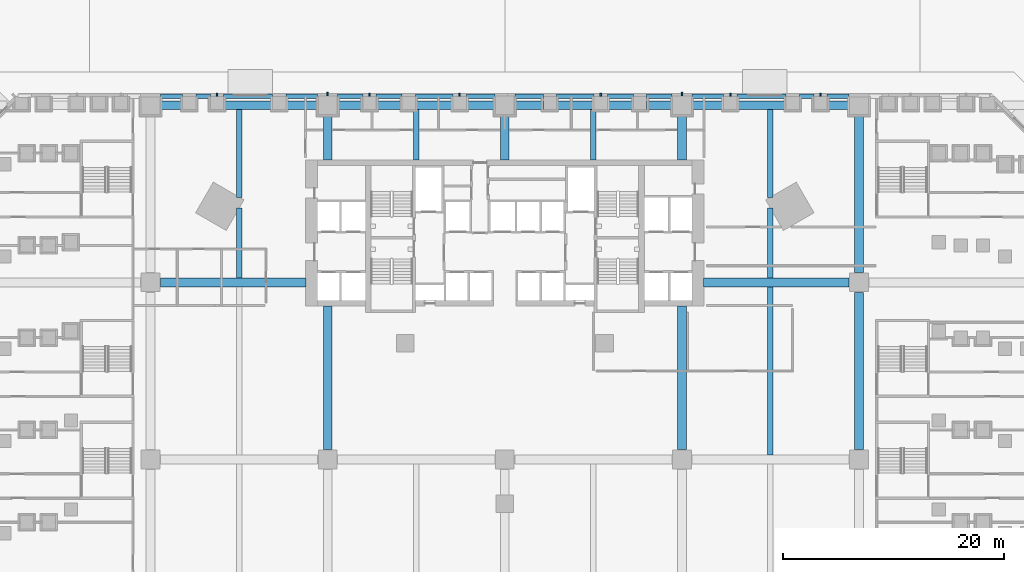
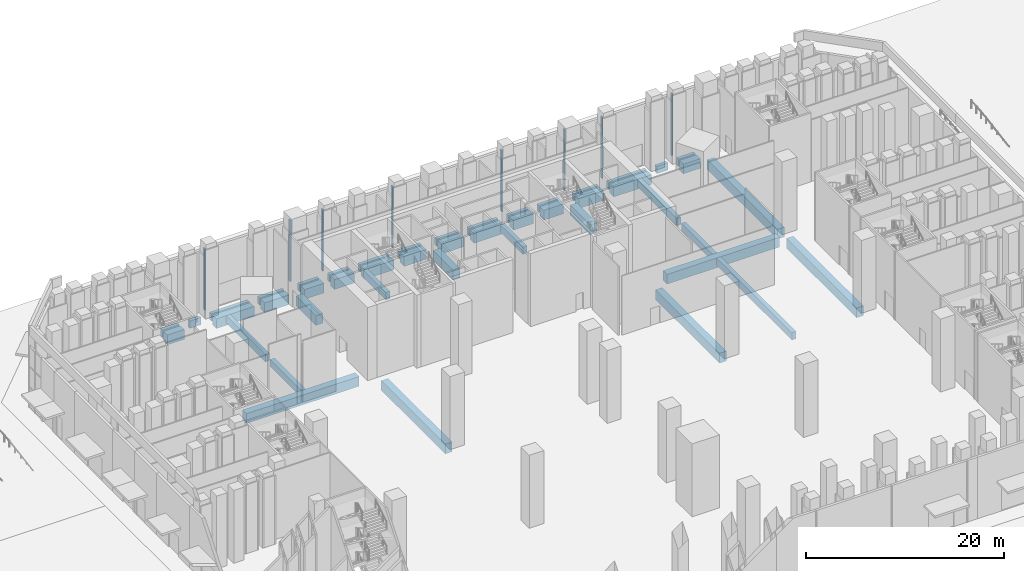
# One storey, part 8 of 51: 46 beams, 8 members.
"""IFC4 building model written with IfcOpenShell, lengths in metres."""

from ifc_helpers import new_model, si_unit, direction, frame, origin, origin_2d, place, context, subcontext, project, spatial, rectangle, extrude, material, material_profile, profile_set, type_object, element, save


model = new_model("IFC4")

# Units and contexts
model_context = context("Model", 3, precision=1e-05, world=origin(), true_north=direction((0.0, 1.0)))
body_context = subcontext(model_context, "Body", "Model", "MODEL_VIEW")
ifc_project = project(units=[si_unit("LENGTHUNIT", "METRE"), si_unit("AREAUNIT", "SQUARE_METRE"), si_unit("VOLUMEUNIT", "CUBIC_METRE"), si_unit("PLANEANGLEUNIT", "RADIAN"), si_unit("MASSUNIT", "GRAM", prefix="KILO")], contexts=[model_context])

# Site, building, storey
site_placement = place(None, origin())
site = spatial("IfcSite", under=ifc_project, at=site_placement, CompositionType="ELEMENT")
building_placement = place(site_placement, origin())
building = spatial("IfcBuilding", under=site, at=building_placement, Name="Calabash Gate Tower", CompositionType="ELEMENT")
storey_placement = place(building_placement, origin())
storey = spatial("IfcBuildingStorey", under=building, at=storey_placement, Name="L00", CompositionType="ELEMENT", Elevation=0.0)

# Beams
ifc_material_1 = material(Name="Concrete C50/60", Category="concrete")
ifc_material_profile_1 = material_profile(ifc_material_1, rectangle(XDim=0.39990234375, YDim=0.89990234375, at=origin_2d()))
ifc_profile_set_1 = profile_set([ifc_material_profile_1], Name="Concrete C50/60")
beam_type_1 = type_object("IfcBeamType", Name="Edge beam RC 400x900 Concrete C50/60", PredefinedType="BEAM", material=ifc_profile_set_1)
beam_1_placement = place(storey_placement, frame((-31.10009765625, 24.800048828125, -1.0), z_axis=(1.0, 0.0, 0.0), x_axis=(0.0, 1.0, 0.0)))
element("IfcBeam", 1, at=beam_1_placement, inside=storey, type_object=beam_type_1, Name="Edge beam L00 10", PredefinedType="BEAM", context=body_context, shape_type="SweptSolid", body=[
    extrude(rectangle(XDim=0.39990234375, YDim=0.89990234375, at=origin_2d()), origin(), (0.0, 0.0, 1.0), 1.97998046875),
])
beam_2_placement = place(storey_placement, frame((-27.919921875, 24.800048828125, -1.0), z_axis=(1.0, 0.0, 0.0), x_axis=(0.0, 1.0, 0.0)))
element("IfcBeam", 2, at=beam_2_placement, inside=storey, type_object=beam_type_1, Name="Edge beam L00 11", PredefinedType="BEAM", context=body_context, shape_type="SweptSolid", body=[
    extrude(rectangle(XDim=0.39990234375, YDim=0.89990234375, at=origin_2d()), origin(), (0.0, 0.0, 1.0), 1.31787109375),
])
beam_3_placement = place(storey_placement, frame((-25.40087890625, 24.800048828125, -1.0), z_axis=(1.0, 0.0, 0.0), x_axis=(0.0, 1.0, 0.0)))
element("IfcBeam", 3, at=beam_3_placement, inside=storey, type_object=beam_type_1, Name="Edge beam L00 12", PredefinedType="BEAM", context=body_context, shape_type="SweptSolid", body=[
    extrude(rectangle(XDim=0.39990234375, YDim=0.89990234375, at=origin_2d()), origin(), (0.0, 0.0, 1.0), 4.428955078125),
])
beam_4_placement = place(storey_placement, frame((-19.77099609375, 24.800048828125, -1.0), z_axis=(1.0, 0.0, 0.0), x_axis=(0.0, 1.0, 0.0)))
element("IfcBeam", 4, at=beam_4_placement, inside=storey, type_object=beam_type_1, Name="Edge beam L00 13", PredefinedType="BEAM", context=body_context, shape_type="SweptSolid", body=[
    extrude(rectangle(XDim=0.39990234375, YDim=0.89990234375, at=origin_2d()), origin(), (0.0, 0.0, 1.0), 2.87109375),
])
beam_5_placement = place(storey_placement, frame((-15.10009765625, 24.800048828125, -1.0), z_axis=(1.0, 0.0, 0.0), x_axis=(0.0, 1.0, 0.0)))
element("IfcBeam", 5, at=beam_5_placement, inside=storey, type_object=beam_type_1, Name="Edge beam L00 14", PredefinedType="BEAM", context=body_context, shape_type="SweptSolid", body=[
    extrude(rectangle(XDim=0.39990234375, YDim=0.89990234375, at=origin_2d()), origin(), (0.0, 0.0, 1.0), 2.277099609375),
])
beam_6_placement = place(storey_placement, frame((-11.623046875, 24.800048828125, -1.0), z_axis=(1.0, 0.0, 0.0), x_axis=(0.0, 1.0, 0.0)))
element("IfcBeam", 6, at=beam_6_placement, inside=storey, type_object=beam_type_1, Name="Edge beam L00 15", PredefinedType="BEAM", context=body_context, shape_type="SweptSolid", body=[
    extrude(rectangle(XDim=0.39990234375, YDim=0.89990234375, at=origin_2d()), origin(), (0.0, 0.0, 1.0), 2.35595703125),
])
beam_7_placement = place(storey_placement, frame((-8.06689453125, 24.800048828125, -1.0), z_axis=(1.0, 0.0, 0.0), x_axis=(0.0, 1.0, 0.0)))
element("IfcBeam", 7, at=beam_7_placement, inside=storey, type_object=beam_type_1, Name="Edge beam L00 16", PredefinedType="BEAM", context=body_context, shape_type="SweptSolid", body=[
    extrude(rectangle(XDim=0.39990234375, YDim=0.89990234375, at=origin_2d()), origin(), (0.0, 0.0, 1.0), 3.392822265625),
])
for number, where, z_axis, x_axis, name in (
    (8, (-3.47412109375, 24.800048828125, -1.0), (1.0, 0.0, 0.0), (0.0, 1.0, 0.0), "Edge beam L00 17"),
    (9, (0.89990234375, 24.800048828125, -1.0), (1.0, 0.0, 0.0), (0.0, 1.0, 0.0), "Edge beam L00 18"),
):
    element("IfcBeam", number, at=place(storey_placement, frame(where, z_axis=z_axis, x_axis=x_axis)), inside=storey, type_object=beam_type_1, Name=name, PredefinedType="BEAM", context=body_context, shape_type="SweptSolid", body=[
        extrude(rectangle(XDim=0.39990234375, YDim=0.89990234375, at=origin_2d()), origin(), (0.0, 0.0, 1.0), 2.57421875),
    ])
beam_8_placement = place(storey_placement, frame((4.674072265625, 24.800048828125, -1.0), z_axis=(1.0, 0.0, 0.0), x_axis=(0.0, 1.0, 0.0)))
element("IfcBeam", 10, at=beam_8_placement, inside=storey, type_object=beam_type_1, Name="Edge beam L00 19", PredefinedType="BEAM", context=body_context, shape_type="SweptSolid", body=[
    extrude(rectangle(XDim=0.39990234375, YDim=0.89990234375, at=origin_2d()), origin(), (0.0, 0.0, 1.0), 3.392822265625),
])
beam_9_placement = place(storey_placement, frame((9.26708984375, 24.800048828125, -1.0), z_axis=(1.0, 0.0, 0.0), x_axis=(0.0, 1.0, 0.0)))
element("IfcBeam", 11, at=beam_9_placement, inside=storey, type_object=beam_type_1, Name="Edge beam L00 20", PredefinedType="BEAM", context=body_context, shape_type="SweptSolid", body=[
    extrude(rectangle(XDim=0.39990234375, YDim=0.89990234375, at=origin_2d()), origin(), (0.0, 0.0, 1.0), 2.35595703125),
])
beam_10_placement = place(storey_placement, frame((12.822998046875, 24.800048828125, -1.0), z_axis=(1.0, 0.0, 0.0), x_axis=(0.0, 1.0, 0.0)))
element("IfcBeam", 12, at=beam_10_placement, inside=storey, type_object=beam_type_1, Name="Edge beam L00 21", PredefinedType="BEAM", context=body_context, shape_type="SweptSolid", body=[
    extrude(rectangle(XDim=0.39990234375, YDim=0.89990234375, at=origin_2d()), origin(), (0.0, 0.0, 1.0), 2.277099609375),
])
beam_11_placement = place(storey_placement, frame((16.89990234375, 24.800048828125, -1.0), z_axis=(1.0, 0.0, 0.0), x_axis=(0.0, 1.0, 0.0)))
element("IfcBeam", 13, at=beam_11_placement, inside=storey, type_object=beam_type_1, Name="Edge beam L00 22", PredefinedType="BEAM", context=body_context, shape_type="SweptSolid", body=[
    extrude(rectangle(XDim=0.39990234375, YDim=0.89990234375, at=origin_2d()), origin(), (0.0, 0.0, 1.0), 2.87109375),
])
beam_12_placement = place(storey_placement, frame((20.971923828125, 24.800048828125, -1.0), z_axis=(1.0, 0.0, 0.0), x_axis=(0.0, 1.0, 0.0)))
element("IfcBeam", 14, at=beam_12_placement, inside=storey, type_object=beam_type_1, Name="Edge beam L00 23", PredefinedType="BEAM", context=body_context, shape_type="SweptSolid", body=[
    extrude(rectangle(XDim=0.39990234375, YDim=0.89990234375, at=origin_2d()), origin(), (0.0, 0.0, 1.0), 4.428955078125),
])
beam_13_placement = place(storey_placement, frame((26.60205078125, 24.800048828125, -1.0), z_axis=(1.0, 0.0, 0.0), x_axis=(0.0, 1.0, 0.0)))
element("IfcBeam", 15, at=beam_13_placement, inside=storey, type_object=beam_type_1, Name="Edge beam L00 24", PredefinedType="BEAM", context=body_context, shape_type="SweptSolid", body=[
    extrude(rectangle(XDim=0.39990234375, YDim=0.89990234375, at=origin_2d()), origin(), (0.0, 0.0, 1.0), 1.31787109375),
])
beam_14_placement = place(storey_placement, frame((29.1201171875, 24.800048828125, -1.0), z_axis=(1.0, 0.0, 0.0), x_axis=(0.0, 1.0, 0.0)))
element("IfcBeam", 16, at=beam_14_placement, inside=storey, type_object=beam_type_1, Name="Edge beam L00 25", PredefinedType="BEAM", context=body_context, shape_type="SweptSolid", body=[
    extrude(rectangle(XDim=0.39990234375, YDim=0.89990234375, at=origin_2d()), origin(), (0.0, 0.0, 1.0), 1.97998046875),
])
ifc_material_2 = material(Name="Concrete C50/60", Category="concrete")
ifc_material_profile_2 = material_profile(ifc_material_2, rectangle(XDim=0.5, YDim=0.89990234375, at=origin_2d()))
ifc_profile_set_2 = profile_set([ifc_material_profile_2], Name="Concrete C50/60")
beam_type_2 = type_object("IfcBeamType", Name="Floor beam RC 500x900 Concrete C50/60", PredefinedType="BEAM", material=ifc_profile_set_2)
beam_15_placement = place(storey_placement, frame((-24.0, 8.39990234375, -1.0), z_axis=(0.0, 1.0, 0.0), x_axis=(-1.0, 0.0, 0.0)))
element("IfcBeam", 17, at=beam_15_placement, inside=storey, type_object=beam_type_2, Name="Floor beam L00 6", PredefinedType="BEAM", context=body_context, shape_type="SweptSolid", body=[
    extrude(rectangle(XDim=0.5, YDim=0.89990234375, at=origin_2d()), origin(), (0.0, 0.0, 1.0), 6.319091796875),
])
beam_16_placement = place(storey_placement, frame((-24.0, 15.681884765625, -1.0), z_axis=(0.0, 1.0, 0.0), x_axis=(-1.0, 0.0, 0.0)))
element("IfcBeam", 18, at=beam_16_placement, inside=storey, type_object=beam_type_2, Name="Floor beam L00 7", PredefinedType="BEAM", context=body_context, shape_type="SweptSolid", body=[
    extrude(rectangle(XDim=0.5, YDim=0.89990234375, at=origin_2d()), origin(), (0.0, 0.0, 1.0), 7.918212890625),
])
for number, where, z_axis, x_axis, name in (
    (19, (-8.0, 19.052978515625, -1.0), (0.0, 1.0, 0.0), (-1.0, 0.0, 0.0), "Floor beam L00 11"),
    (20, (8.0, 19.052978515625, -1.0), (0.0, 1.0, 0.0), (-1.0, 0.0, 0.0), "Floor beam L00 15"),
):
    element("IfcBeam", number, at=place(storey_placement, frame(where, z_axis=z_axis, x_axis=x_axis)), inside=storey, type_object=beam_type_2, Name=name, PredefinedType="BEAM", context=body_context, shape_type="SweptSolid", body=[
        extrude(rectangle(XDim=0.5, YDim=0.89990234375, at=origin_2d()), origin(), (0.0, 0.0, 1.0), 4.547119140625),
    ])
beam_17_placement = place(storey_placement, frame((24.0, -7.60009765625, -1.0), z_axis=(0.0, 1.0, 0.0), x_axis=(-1.0, 0.0, 0.0)))
element("IfcBeam", 21, at=beam_17_placement, inside=storey, type_object=beam_type_2, Name="Floor beam L00 19", PredefinedType="BEAM", context=body_context, shape_type="SweptSolid", body=[
    extrude(rectangle(XDim=0.5, YDim=0.89990234375, at=origin_2d()), origin(), (0.0, 0.0, 1.0), 15.2001953125),
])
beam_18_placement = place(storey_placement, frame((24.0, 8.39990234375, -1.0), z_axis=(0.0, 1.0, 0.0), x_axis=(-1.0, 0.0, 0.0)))
element("IfcBeam", 22, at=beam_18_placement, inside=storey, type_object=beam_type_2, Name="Floor beam L00 20", PredefinedType="BEAM", context=body_context, shape_type="SweptSolid", body=[
    extrude(rectangle(XDim=0.5, YDim=0.89990234375, at=origin_2d()), origin(), (0.0, 0.0, 1.0), 6.319091796875),
])
beam_19_placement = place(storey_placement, frame((24.0, 15.681884765625, -1.0), z_axis=(0.0, 1.0, 0.0), x_axis=(-1.0, 0.0, 0.0)))
element("IfcBeam", 23, at=beam_19_placement, inside=storey, type_object=beam_type_2, Name="Floor beam L00 21", PredefinedType="BEAM", context=body_context, shape_type="SweptSolid", body=[
    extrude(rectangle(XDim=0.5, YDim=0.89990234375, at=origin_2d()), origin(), (0.0, 0.0, 1.0), 7.918212890625),
])
ifc_material_3 = material(Name="Concrete C50/60", Category="concrete")
ifc_material_profile_3 = material_profile(ifc_material_3, rectangle(XDim=0.800048828125, YDim=1.199951171875, at=origin_2d()))
ifc_profile_set_3 = profile_set([ifc_material_profile_3], Name="Concrete C50/60")
beam_type_3 = type_object("IfcBeamType", Name="Grid girder RC 800x1200 Concrete C50/60", PredefinedType="BEAM", material=ifc_profile_set_3)
beam_20_placement = place(storey_placement, frame((-16.0, -7.10009765625, -1.14990234375), z_axis=(0.0, 1.0, 0.0), x_axis=(-1.0, 0.0, 0.0)))
element("IfcBeam", 24, at=beam_20_placement, inside=storey, type_object=beam_type_3, Name="Grid girder L00 10", PredefinedType="BEAM", context=body_context, shape_type="SweptSolid", body=[
    extrude(rectangle(XDim=0.800048828125, YDim=1.199951171875, at=origin_2d()), origin(), (0.0, 0.0, 1.0), 12.953125),
])
for number, where, z_axis, x_axis, name in (
    (25, (-16.0, 19.052978515625, -1.14990234375), (0.0, 1.0, 0.0), (-1.0, 0.0, 0.0), "Grid girder L00 11"),
    (26, (0.0, 19.052978515625, -1.14990234375), (0.0, 1.0, 0.0), (-1.0, 0.0, 0.0), "Grid girder L00 17"),
):
    element("IfcBeam", number, at=place(storey_placement, frame(where, z_axis=z_axis, x_axis=x_axis)), inside=storey, type_object=beam_type_3, Name=name, PredefinedType="BEAM", context=body_context, shape_type="SweptSolid", body=[
        extrude(rectangle(XDim=0.800048828125, YDim=1.199951171875, at=origin_2d()), origin(), (0.0, 0.0, 1.0), 4.047119140625),
    ])
beam_21_placement = place(storey_placement, frame((16.0, -7.10009765625, -1.14990234375), z_axis=(0.0, 1.0, 0.0), x_axis=(-1.0, 0.0, 0.0)))
element("IfcBeam", 27, at=beam_21_placement, inside=storey, type_object=beam_type_3, Name="Grid girder L00 21", PredefinedType="BEAM", context=body_context, shape_type="SweptSolid", body=[
    extrude(rectangle(XDim=0.800048828125, YDim=1.199951171875, at=origin_2d()), origin(), (0.0, 0.0, 1.0), 12.953125),
])
beam_22_placement = place(storey_placement, frame((16.0, 19.052978515625, -1.14990234375), z_axis=(0.0, 1.0, 0.0), x_axis=(-1.0, 0.0, 0.0)))
element("IfcBeam", 28, at=beam_22_placement, inside=storey, type_object=beam_type_3, Name="Grid girder L00 22", PredefinedType="BEAM", context=body_context, shape_type="SweptSolid", body=[
    extrude(rectangle(XDim=0.800048828125, YDim=1.199951171875, at=origin_2d()), origin(), (0.0, 0.0, 1.0), 4.047119140625),
])
for number, where, z_axis, x_axis, name in (
    (29, (32.0, -7.10009765625, -1.14990234375), (0.0, 1.0, 0.0), (-1.0, 0.0, 0.0), "Grid girder L00 26"),
    (30, (32.0, 8.89990234375, -1.14990234375), (0.0, 1.0, 0.0), (-1.0, 0.0, 0.0), "Grid girder L00 27"),
):
    element("IfcBeam", number, at=place(storey_placement, frame(where, z_axis=z_axis, x_axis=x_axis)), inside=storey, type_object=beam_type_3, Name=name, PredefinedType="BEAM", context=body_context, shape_type="SweptSolid", body=[
        extrude(rectangle(XDim=0.800048828125, YDim=1.199951171875, at=origin_2d()), origin(), (0.0, 0.0, 1.0), 14.2001953125),
    ])
for number, where, z_axis, x_axis, name in (
    (31, (-31.10009765625, 8.0, -1.14990234375), (1.0, 0.0, 0.0), (0.0, 1.0, 0.0), "Grid girder L00 44"),
    (32, (17.968017578125, 8.0, -1.14990234375), (1.0, 0.0, 0.0), (0.0, 1.0, 0.0), "Grid girder L00 45"),
):
    element("IfcBeam", number, at=place(storey_placement, frame(where, z_axis=z_axis, x_axis=x_axis)), inside=storey, type_object=beam_type_3, Name=name, PredefinedType="BEAM", context=body_context, shape_type="SweptSolid", body=[
        extrude(rectangle(XDim=0.800048828125, YDim=1.199951171875, at=origin_2d()), origin(), (0.0, 0.0, 1.0), 13.132080078125),
    ])
beam_23_placement = place(storey_placement, frame((-31.10009765625, 24.0, -1.14990234375), z_axis=(1.0, 0.0, 0.0), x_axis=(0.0, 1.0, 0.0)))
element("IfcBeam", 33, at=beam_23_placement, inside=storey, type_object=beam_type_3, Name="Grid girder L00 49", PredefinedType="BEAM", context=body_context, shape_type="SweptSolid", body=[
    extrude(rectangle(XDim=0.800048828125, YDim=1.199951171875, at=origin_2d()), origin(), (0.0, 0.0, 1.0), 1.97998046875),
])
beam_24_placement = place(storey_placement, frame((-25.40087890625, 24.0, -1.14990234375), z_axis=(1.0, 0.0, 0.0), x_axis=(0.0, 1.0, 0.0)))
element("IfcBeam", 34, at=beam_24_placement, inside=storey, type_object=beam_type_3, Name="Grid girder L00 50", PredefinedType="BEAM", context=body_context, shape_type="SweptSolid", body=[
    extrude(rectangle(XDim=0.800048828125, YDim=1.199951171875, at=origin_2d()), origin(), (0.0, 0.0, 1.0), 4.428955078125),
])
beam_25_placement = place(storey_placement, frame((-19.77099609375, 24.0, -1.14990234375), z_axis=(1.0, 0.0, 0.0), x_axis=(0.0, 1.0, 0.0)))
element("IfcBeam", 35, at=beam_25_placement, inside=storey, type_object=beam_type_3, Name="Grid girder L00 51", PredefinedType="BEAM", context=body_context, shape_type="SweptSolid", body=[
    extrude(rectangle(XDim=0.800048828125, YDim=1.199951171875, at=origin_2d()), origin(), (0.0, 0.0, 1.0), 2.87109375),
])
beam_26_placement = place(storey_placement, frame((-15.10009765625, 24.0, -1.14990234375), z_axis=(1.0, 0.0, 0.0), x_axis=(0.0, 1.0, 0.0)))
element("IfcBeam", 36, at=beam_26_placement, inside=storey, type_object=beam_type_3, Name="Grid girder L00 52", PredefinedType="BEAM", context=body_context, shape_type="SweptSolid", body=[
    extrude(rectangle(XDim=0.800048828125, YDim=1.199951171875, at=origin_2d()), origin(), (0.0, 0.0, 1.0), 2.277099609375),
])
beam_27_placement = place(storey_placement, frame((-11.623046875, 24.0, -1.14990234375), z_axis=(1.0, 0.0, 0.0), x_axis=(0.0, 1.0, 0.0)))
element("IfcBeam", 37, at=beam_27_placement, inside=storey, type_object=beam_type_3, Name="Grid girder L00 53", PredefinedType="BEAM", context=body_context, shape_type="SweptSolid", body=[
    extrude(rectangle(XDim=0.800048828125, YDim=1.199951171875, at=origin_2d()), origin(), (0.0, 0.0, 1.0), 2.35595703125),
])
beam_28_placement = place(storey_placement, frame((-8.06689453125, 24.0, -1.14990234375), z_axis=(1.0, 0.0, 0.0), x_axis=(0.0, 1.0, 0.0)))
element("IfcBeam", 38, at=beam_28_placement, inside=storey, type_object=beam_type_3, Name="Grid girder L00 54", PredefinedType="BEAM", context=body_context, shape_type="SweptSolid", body=[
    extrude(rectangle(XDim=0.800048828125, YDim=1.199951171875, at=origin_2d()), origin(), (0.0, 0.0, 1.0), 3.392822265625),
])
for number, where, z_axis, x_axis, name in (
    (39, (-3.47412109375, 24.0, -1.14990234375), (1.0, 0.0, 0.0), (0.0, 1.0, 0.0), "Grid girder L00 55"),
    (40, (0.89990234375, 24.0, -1.14990234375), (1.0, 0.0, 0.0), (0.0, 1.0, 0.0), "Grid girder L00 56"),
):
    element("IfcBeam", number, at=place(storey_placement, frame(where, z_axis=z_axis, x_axis=x_axis)), inside=storey, type_object=beam_type_3, Name=name, PredefinedType="BEAM", context=body_context, shape_type="SweptSolid", body=[
        extrude(rectangle(XDim=0.800048828125, YDim=1.199951171875, at=origin_2d()), origin(), (0.0, 0.0, 1.0), 2.57421875),
    ])
beam_29_placement = place(storey_placement, frame((4.674072265625, 24.0, -1.14990234375), z_axis=(1.0, 0.0, 0.0), x_axis=(0.0, 1.0, 0.0)))
element("IfcBeam", 41, at=beam_29_placement, inside=storey, type_object=beam_type_3, Name="Grid girder L00 57", PredefinedType="BEAM", context=body_context, shape_type="SweptSolid", body=[
    extrude(rectangle(XDim=0.800048828125, YDim=1.199951171875, at=origin_2d()), origin(), (0.0, 0.0, 1.0), 3.392822265625),
])
beam_30_placement = place(storey_placement, frame((9.26708984375, 24.0, -1.14990234375), z_axis=(1.0, 0.0, 0.0), x_axis=(0.0, 1.0, 0.0)))
element("IfcBeam", 42, at=beam_30_placement, inside=storey, type_object=beam_type_3, Name="Grid girder L00 58", PredefinedType="BEAM", context=body_context, shape_type="SweptSolid", body=[
    extrude(rectangle(XDim=0.800048828125, YDim=1.199951171875, at=origin_2d()), origin(), (0.0, 0.0, 1.0), 2.35595703125),
])
beam_31_placement = place(storey_placement, frame((12.822998046875, 24.0, -1.14990234375), z_axis=(1.0, 0.0, 0.0), x_axis=(0.0, 1.0, 0.0)))
element("IfcBeam", 43, at=beam_31_placement, inside=storey, type_object=beam_type_3, Name="Grid girder L00 59", PredefinedType="BEAM", context=body_context, shape_type="SweptSolid", body=[
    extrude(rectangle(XDim=0.800048828125, YDim=1.199951171875, at=origin_2d()), origin(), (0.0, 0.0, 1.0), 2.277099609375),
])
beam_32_placement = place(storey_placement, frame((16.89990234375, 24.0, -1.14990234375), z_axis=(1.0, 0.0, 0.0), x_axis=(0.0, 1.0, 0.0)))
element("IfcBeam", 44, at=beam_32_placement, inside=storey, type_object=beam_type_3, Name="Grid girder L00 60", PredefinedType="BEAM", context=body_context, shape_type="SweptSolid", body=[
    extrude(rectangle(XDim=0.800048828125, YDim=1.199951171875, at=origin_2d()), origin(), (0.0, 0.0, 1.0), 2.87109375),
])
beam_33_placement = place(storey_placement, frame((20.971923828125, 24.0, -1.14990234375), z_axis=(1.0, 0.0, 0.0), x_axis=(0.0, 1.0, 0.0)))
element("IfcBeam", 45, at=beam_33_placement, inside=storey, type_object=beam_type_3, Name="Grid girder L00 61", PredefinedType="BEAM", context=body_context, shape_type="SweptSolid", body=[
    extrude(rectangle(XDim=0.800048828125, YDim=1.199951171875, at=origin_2d()), origin(), (0.0, 0.0, 1.0), 4.428955078125),
])
beam_34_placement = place(storey_placement, frame((29.1201171875, 24.0, -1.14990234375), z_axis=(1.0, 0.0, 0.0), x_axis=(0.0, 1.0, 0.0)))
element("IfcBeam", 46, at=beam_34_placement, inside=storey, type_object=beam_type_3, Name="Grid girder L00 62", PredefinedType="BEAM", context=body_context, shape_type="SweptSolid", body=[
    extrude(rectangle(XDim=0.800048828125, YDim=1.199951171875, at=origin_2d()), origin(), (0.0, 0.0, 1.0), 1.97998046875),
])

# Members
ifc_material_4 = material(Name="Terracotta brick masonry, baguette fin", Category="masonry")
ifc_material_profile_4 = material_profile(ifc_material_4, rectangle(XDim=0.139892578125, YDim=0.300048828125, at=origin_2d()))
ifc_profile_set_4 = profile_set([ifc_material_profile_4], Name="Terracotta brick masonry, baguette fin")
member_type = type_object("IfcMemberType", Name="Terracotta baguette 140x300", PredefinedType="USERDEFINED", material=ifc_profile_set_4)
for number, where, z_axis, x_axis, name in (
    (47, (-16.0, 25.0, 0.0), (0.0, 0.0, 1.0), (-1.0, 0.0, 0.0), "BAGUETTE L00 17"),
    (48, (16.0, 25.0, 0.0), (0.0, 0.0, 1.0), (-1.0, 0.0, 0.0), "BAGUETTE L00 18"),
    (49, (-26.001953125, 24.949951171875, 0.0), (0.0, 0.0, 1.0), (-1.0, 0.0, 0.0), "BAGUETTE L00 22"),
    (50, (-12.222900390625, 24.949951171875, 0.0), (0.0, 0.0, 1.0), (-1.0, 0.0, 0.0), "BAGUETTE L00 23"),
    (51, (-4.073974609375, 24.949951171875, 0.0), (0.0, 0.0, 1.0), (-1.0, 0.0, 0.0), "BAGUETTE L00 24"),
    (52, (8.6669921875, 24.949951171875, 0.0), (0.0, 0.0, 1.0), (-1.0, 0.0, 0.0), "BAGUETTE L00 25"),
    (53, (20.3720703125, 24.949951171875, 0.0), (0.0, 0.0, 1.0), (-1.0, 0.0, 0.0), "BAGUETTE L00 26"),
    (54, (28.52001953125, 24.949951171875, 0.0), (0.0, 0.0, 1.0), (-1.0, 0.0, 0.0), "BAGUETTE L00 27"),
):
    element("IfcMember", number, at=place(storey_placement, frame(where, z_axis=z_axis, x_axis=x_axis)), inside=storey, type_object=member_type, Name=name, ObjectType="BAGUETTE", PredefinedType="USERDEFINED", context=body_context, shape_type="SweptSolid", body=[
        extrude(rectangle(XDim=0.139892578125, YDim=0.300048828125, at=origin_2d()), origin(), (0.0, 0.0, 1.0), 7.60009765625),
    ])

save(model, "model.ifc")
